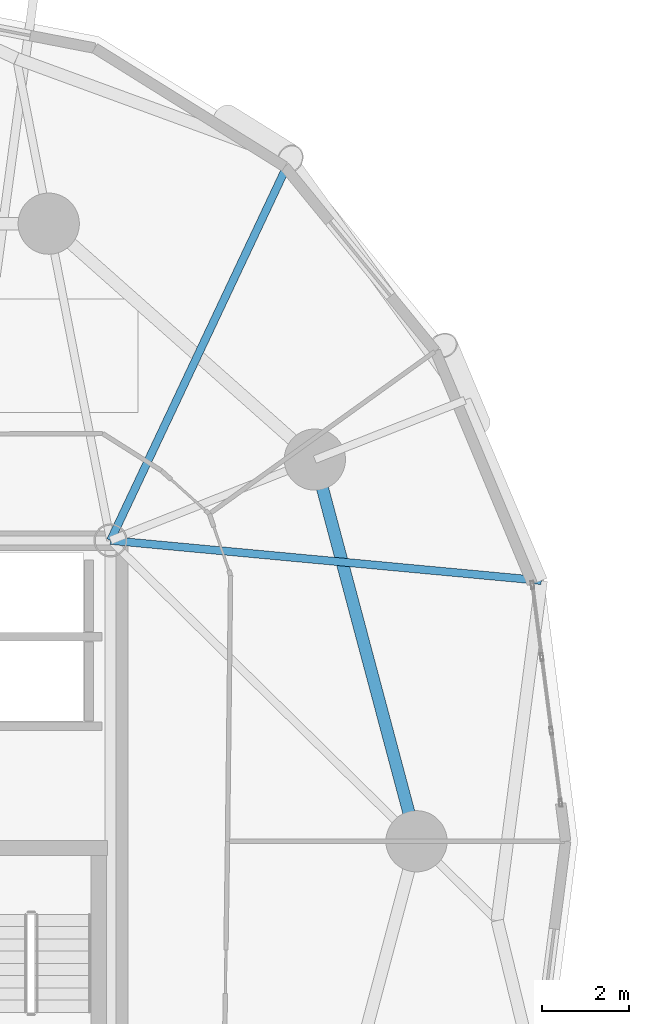
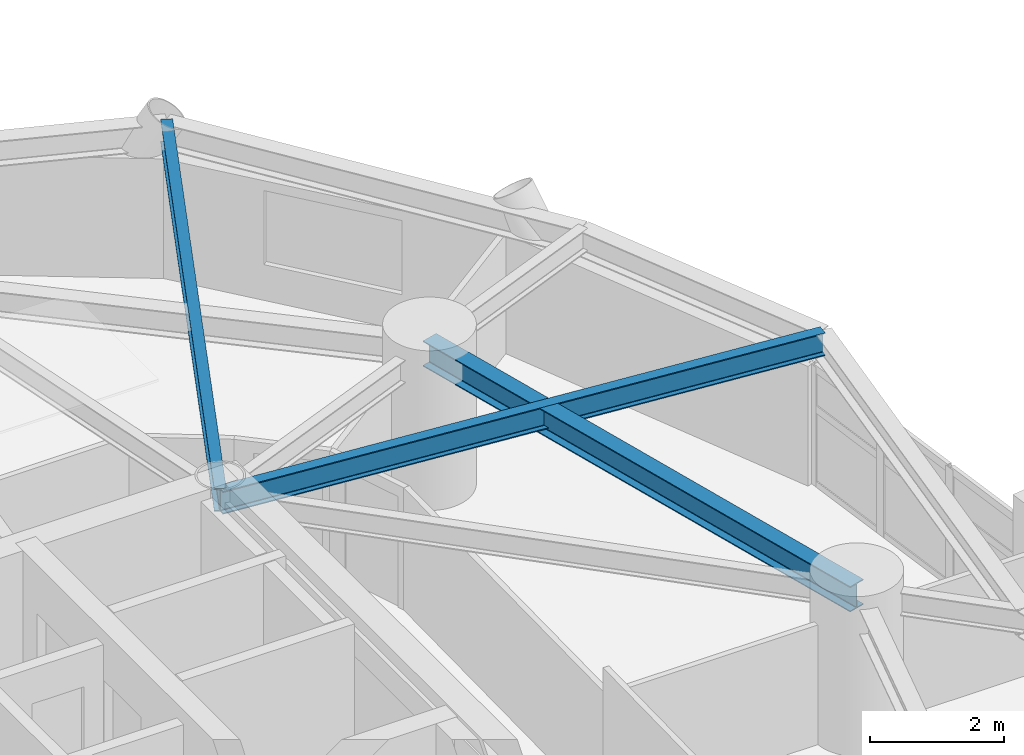
# One storey, part 3 of 16: 3 beams.
"""IFC4 building model written with IfcOpenShell, lengths in metres."""

from ifc_helpers import new_model, si_unit, direction, frame, origin, origin_2d, place, context, subcontext, project, spatial, i_section, extrude, material, material_profile, profile_set, type_object, element, save


model = new_model("IFC4")

# Units and contexts
model_context = context("Model", 3, precision=1e-05, world=origin(), true_north=direction((0.0, 1.0)))
body_context = subcontext(model_context, "Body", "Model", "MODEL_VIEW")
ifc_project = project(units=[si_unit("LENGTHUNIT", "METRE"), si_unit("AREAUNIT", "SQUARE_METRE"), si_unit("VOLUMEUNIT", "CUBIC_METRE"), si_unit("PLANEANGLEUNIT", "RADIAN"), si_unit("MASSUNIT", "GRAM", prefix="KILO")], contexts=[model_context])

# Site, building, storey
site_placement = place(None, origin())
site = spatial("IfcSite", under=ifc_project, at=site_placement, CompositionType="ELEMENT")
building_placement = place(site_placement, origin())
building = spatial("IfcBuilding", under=site, at=building_placement, Name="Cununo Teusaquillo Station Towers", CompositionType="ELEMENT")
storey_placement = place(building_placement, frame((0.0, 0.0, 99.25)))
storey = spatial("IfcBuildingStorey", under=building, at=storey_placement, Name="L31", CompositionType="ELEMENT", Elevation=99.25)

# Beams
ifc_material_1 = material(Name="Steel ASTM A572 Grade 50", Category="steel")
ifc_material_profile_1 = material_profile(ifc_material_1, i_section(OverallWidth=0.180908203125, OverallDepth=0.4169921875, WebThickness=0.010986328125, FlangeThickness=0.018310546875, FilletRadius=0.012939453125, at=origin_2d()), Name="W16X57")
ifc_profile_set_1 = profile_set([ifc_material_profile_1], Name="Steel ASTM A572 Grade 50")
beam_type_1 = type_object("IfcBeamType", Name="BM-JOIST-1", PredefinedType="JOIST", material=ifc_profile_set_1)
beam_1_placement = place(storey_placement, frame((21.675048828125, 31.3798828125, 2.46142578125), z_axis=(0.995678537907, -0.09286683558, 0.0), x_axis=(0.09286683558, 0.995678537907, 0.0)))
element("IfcBeam", 1, at=beam_1_placement, inside=storey, type_object=beam_type_1, Name="L31 Tower A Radial Spandrel Joist V01", PredefinedType="JOIST", context=body_context, shape_type="SweptSolid", body=[
    extrude(i_section(OverallWidth=0.180908203125, OverallDepth=0.4169921875, WebThickness=0.010986328125, FlangeThickness=0.018310546875, FilletRadius=0.012939453125, at=origin_2d()), origin(), (0.0, 0.0, 1.0), 9.895263671875),
])
beam_2_placement = place(storey_placement, frame((21.675048828125, 31.3798828125, 2.46142578125), z_axis=(0.426319838016, 0.904572493344, 0.0), x_axis=(-0.904572493344, 0.426319838016, 0.0)))
element("IfcBeam", 2, at=beam_2_placement, inside=storey, type_object=beam_type_1, Name="L31 Tower A Radial Spandrel Joist V03", PredefinedType="JOIST", context=body_context, shape_type="SweptSolid", body=[
    extrude(i_section(OverallWidth=0.180908203125, OverallDepth=0.4169921875, WebThickness=0.010986328125, FlangeThickness=0.018310546875, FilletRadius=0.012939453125, at=origin_2d()), origin(), (0.0, 0.0, 1.0), 9.646728515625),
])
ifc_material_2 = material(Name="Steel ASTM A572 Grade 50", Category="steel")
ifc_material_profile_2 = material_profile(ifc_material_2, i_section(OverallWidth=0.280029296875, OverallDepth=0.462890625, WebThickness=0.0107421875, FlangeThickness=0.017333984375, FilletRadius=0.013916015625, at=origin_2d()), Name="W18X76")
ifc_profile_set_2 = profile_set([ifc_material_profile_2], Name="Steel ASTM A572 Grade 50")
beam_type_2 = type_object("IfcBeamType", Name="BM-RING-Z2", PredefinedType="SPANDREL", material=ifc_profile_set_2)
beam_3_placement = place(storey_placement, frame((28.672119140625, 24.5, 2.4384765625), z_axis=(-0.257363196347, 0.966314744359, 0.0), x_axis=(-0.966314744359, -0.257363196347, 0.0)))
element("IfcBeam", 3, at=beam_3_placement, inside=storey, type_object=beam_type_2, Name="L31 Tower A Structural Column Ring Girder 01", PredefinedType="SPANDREL", context=body_context, shape_type="SweptSolid", body=[
    extrude(i_section(OverallWidth=0.280029296875, OverallDepth=0.462890625, WebThickness=0.0107421875, FlangeThickness=0.017333984375, FilletRadius=0.013916015625, at=origin_2d()), origin(), (0.0, 0.0, 1.0), 9.03271484375),
])

save(model, "model.ifc")
